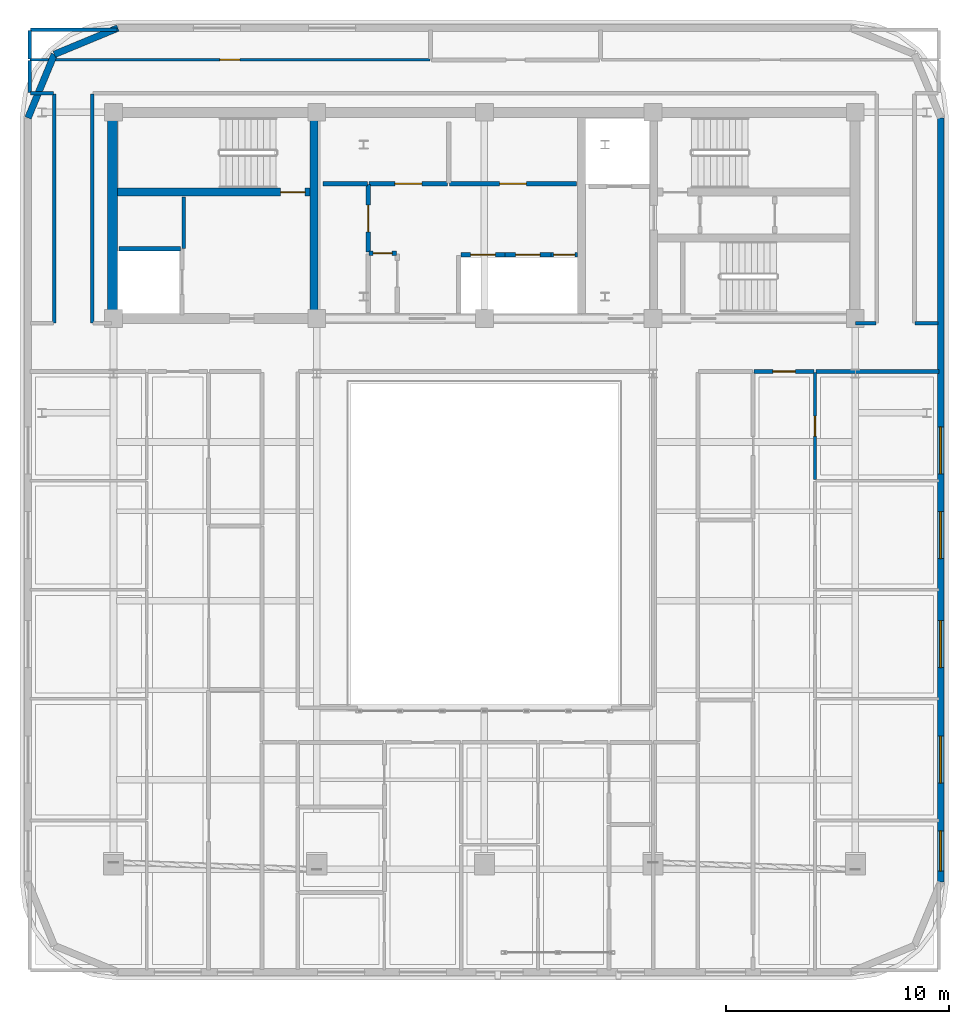
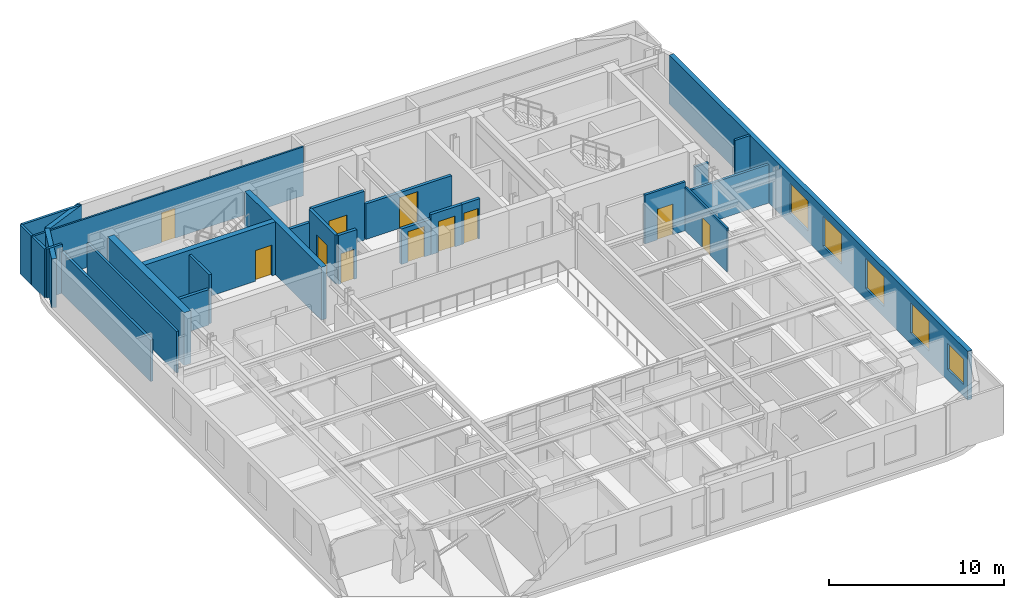
# One storey, part 10 of 14: 28 walls, 11 doors, 5 windows, 16 openings.
"""IFC4 building model written with IfcOpenShell, lengths in metres."""

from ifc_helpers import new_model, si_unit, direction, frame, frame_2d, origin, place, context, subcontext, project, spatial, rectangle, extrude, material, layer, layer_set, type_object, element, fill, save


model = new_model("IFC4")

# Units and contexts
model_context = context("Model", 3, precision=1e-05, world=origin(), true_north=direction((0.0, 1.0)))
body_context = subcontext(model_context, "Body", "Model", "MODEL_VIEW")
ifc_project = project(units=[si_unit("LENGTHUNIT", "METRE"), si_unit("AREAUNIT", "SQUARE_METRE"), si_unit("VOLUMEUNIT", "CUBIC_METRE"), si_unit("PLANEANGLEUNIT", "RADIAN"), si_unit("MASSUNIT", "GRAM", prefix="KILO")], contexts=[model_context])

# Site, building, storey
site_placement = place(None, origin())
site = spatial("IfcSite", under=ifc_project, at=site_placement, CompositionType="ELEMENT")
building_placement = place(site_placement, origin())
building = spatial("IfcBuilding", under=site, at=building_placement, Name="Zarnavel Station Tower", CompositionType="ELEMENT")
storey_placement = place(building_placement, frame((0.0, 0.0, 251.0)))
storey = spatial("IfcBuildingStorey", under=building, at=storey_placement, Name="L68", CompositionType="ELEMENT", Elevation=251.0)

# Wall
ifc_material_1 = material(Name="Concrete C50/60", Category="concrete")
ifc_layer_1 = layer(ifc_material_1, 0.35009765625)
ifc_layer_set_1 = layer_set([ifc_layer_1], Name="CW_350")
wall_type_1 = type_object("IfcWallType", Name="CW_350", PredefinedType="SHEAR", material=ifc_layer_set_1)
wall_1_placement = place(storey_placement, frame((21.179931640625, 28.044921875, 0.0), z_axis=(0.0, 0.0, 1.0), x_axis=(0.0, 1.0, 0.0)))
element("IfcWall", 1, at=wall_1_placement, inside=storey, type_object=wall_type_1, Name="L68 Rear Core Shear Wall DIV-W", PredefinedType="SHEAR", context=body_context, shape_type="SweptSolid", body=[
    extrude(rectangle(XDim=8.780029296875, YDim=0.35009765625, at=frame_2d((4.39013671875, 0.0))), origin(), (0.0, 0.0, 1.0), 3.699951171875),
])

# Wall, opening, door
wall_2_placement = place(storey_placement, frame((21.0048828125, 33.47998046875, 0.0), z_axis=(0.0, 0.0, 1.0), x_axis=(-1.0, 0.0, 0.0)))
wall_2 = element("IfcWall", 2, at=wall_2_placement, inside=storey, type_object=wall_type_1, Name="L68 Rear Core Shear Wall DIV-H1", PredefinedType="SHEAR", context=body_context, shape_type="SweptSolid", body=[
    extrude(rectangle(XDim=8.6298828125, YDim=0.35009765625, at=frame_2d((4.31494140625, 0.0))), origin(), (0.0, 0.0, 1.0), 3.699951171875),
])
opening_1_placement = place(wall_2_placement, frame((0.219970703125, 0.0, 0.0)))
opening_1 = element("IfcOpeningElement", 3, at=opening_1_placement, cuts=wall_2, Name="Opening FD01", PredefinedType="OPENING", context=body_context, shape_type="SweptSolid", body=[
    extrude(rectangle(XDim=1.10009765625, YDim=2.14990234375, at=frame_2d((0.550048828125, 1.074951171875))), frame((0.0, 0.18505859375, 0.0), z_axis=(0.0, -1.0, 0.0), x_axis=(1.0, 0.0, 0.0)), (0.0, 0.0, 1.0), 0.3701171875),
])
ifc_material_2 = material(Name="Painted Galvanised Steel and Hardwood Leaf", Category="steel")
door_type_1 = type_object("IfcDoorType", Name="ID_STAIR_1100", OperationType="NOTDEFINED", PredefinedType="DOOR", material=ifc_material_2)
door_1_placement = place(opening_1_placement, origin())
door_1 = element("IfcDoor", 4, at=door_1_placement, inside=storey, type_object=door_type_1, Name="L68 Stair ST1 Lobby Fire Door", OperationType="SINGLE_SWING_LEFT", OverallHeight=2.14990234375, OverallWidth=1.10009765625, PredefinedType="DOOR", context=body_context, shape_type="SweptSolid", body=[
    extrude(rectangle(XDim=1.10009765625, YDim=2.14990234375, at=frame_2d((0.550048828125, 1.074951171875))), frame((0.0, 0.02490234375, 0.0), z_axis=(0.0, -1.0, 0.0), x_axis=(1.0, 0.0, 0.0)), (0.0, 0.0, 1.0), 0.050048828125),
])
fill(opening_1, door_1)

# Wall
ifc_material_3 = material(Name="Concrete C50/60", Category="concrete")
ifc_layer_2 = layer(ifc_material_3, 0.449951171875)
ifc_layer_set_2 = layer_set([ifc_layer_2], Name="CW_450")
wall_type_2 = type_object("IfcWallType", Name="CW_450", PredefinedType="SHEAR", material=ifc_layer_set_2)
wall_3_placement = place(storey_placement, frame((12.14990234375, 28.044921875, 0.0), z_axis=(0.0, 0.0, 1.0), x_axis=(0.0, 1.0, 0.0)))
element("IfcWall", 5, at=wall_3_placement, inside=storey, type_object=wall_type_2, Name="L68 Rear Core Shear Wall W", PredefinedType="SHEAR", context=body_context, shape_type="SweptSolid", body=[
    extrude(rectangle(XDim=8.780029296875, YDim=0.449951171875, at=frame_2d((4.39013671875, 0.0))), origin(), (0.0, 0.0, 1.0), 3.699951171875),
])

# Wall, openings, windows
ifc_material_4 = material(Name="Precast concrete C45/55 (Dark Basalt Finish)", Category="masonry")
ifc_layer_3 = layer(ifc_material_4, 0.300048828125)
ifc_layer_set_3 = layer_set([ifc_layer_3], Name="EW_BASALT_300")
wall_type_3 = type_object("IfcWallType", Name="EW_BASALT_300", PredefinedType="SOLIDWALL", material=ifc_layer_set_3)
wall_4_placement = place(storey_placement, frame((49.219970703125, 36.800048828125, 0.0), z_axis=(0.0, 0.0, 1.0), x_axis=(0.0, -1.0, 0.0)))
wall_4 = element("IfcWall", 6, at=wall_4_placement, inside=storey, type_object=wall_type_3, Name="L68 Exterior Basalt Masonry Frame Wall 03", PredefinedType="SOLIDWALL", context=body_context, shape_type="SweptSolid", body=[
    extrude(rectangle(XDim=34.199951171875, YDim=0.300048828125, at=frame_2d((17.10009765625, 0.0))), origin(), (0.0, 0.0, 1.0), 3.419921875),
])
opening_2_placement = place(wall_4_placement, frame((31.91162109375, 0.0, 0.800048828125)))
opening_2 = element("IfcOpeningElement", 7, at=opening_2_placement, cuts=wall_4, Name="Opening WN02", PredefinedType="OPENING", context=body_context, shape_type="SweptSolid", body=[
    extrude(rectangle(XDim=1.800048828125, YDim=1.800048828125, at=frame_2d((0.89990234375, 0.89990234375))), frame((0.0, 0.159912109375, 0.0), z_axis=(0.0, -1.0, 0.0), x_axis=(1.0, 0.0, 0.0)), (0.0, 0.0, 1.0), 0.320068359375),
])
opening_3_placement = place(wall_4_placement, frame((27.66845703125, 0.0, 0.75)))
opening_3 = element("IfcOpeningElement", 8, at=opening_3_placement, cuts=wall_4, Name="Opening WN05", PredefinedType="OPENING", context=body_context, shape_type="SweptSolid", body=[
    extrude(rectangle(XDim=2.10009765625, YDim=2.10009765625, at=frame_2d((1.050048828125, 1.050048828125))), frame((0.0, 0.159912109375, 0.0), z_axis=(0.0, -1.0, 0.0), x_axis=(1.0, 0.0, 0.0)), (0.0, 0.0, 1.0), 0.320068359375),
])
opening_4_placement = place(wall_4_placement, frame((22.50341796875, 0.0, 0.75)))
opening_4 = element("IfcOpeningElement", 9, at=opening_4_placement, cuts=wall_4, Name="Opening WN05", PredefinedType="OPENING", context=body_context, shape_type="SweptSolid", body=[
    extrude(rectangle(XDim=2.10009765625, YDim=2.10009765625, at=frame_2d((1.050048828125, 1.050048828125))), frame((0.0, 0.159912109375, 0.0), z_axis=(0.0, -1.0, 0.0), x_axis=(1.0, 0.0, 0.0)), (0.0, 0.0, 1.0), 0.320068359375),
])
opening_5_placement = place(wall_4_placement, frame((17.62255859375, 0.0, 0.75)))
opening_5 = element("IfcOpeningElement", 10, at=opening_5_placement, cuts=wall_4, Name="Opening WN05", PredefinedType="OPENING", context=body_context, shape_type="SweptSolid", body=[
    extrude(rectangle(XDim=2.10009765625, YDim=2.10009765625, at=frame_2d((1.050048828125, 1.050048828125))), frame((0.0, 0.159912109375, 0.0), z_axis=(0.0, -1.0, 0.0), x_axis=(1.0, 0.0, 0.0)), (0.0, 0.0, 1.0), 0.320068359375),
])
opening_6_placement = place(wall_4_placement, frame((13.83203125, 0.0, 0.75)))
opening_6 = element("IfcOpeningElement", 11, at=opening_6_placement, cuts=wall_4, Name="Opening WN05", PredefinedType="OPENING", context=body_context, shape_type="SweptSolid", body=[
    extrude(rectangle(XDim=2.10009765625, YDim=2.10009765625, at=frame_2d((1.050048828125, 1.050048828125))), frame((0.0, 0.159912109375, 0.0), z_axis=(0.0, -1.0, 0.0), x_axis=(1.0, 0.0, 0.0)), (0.0, 0.0, 1.0), 0.320068359375),
])
ifc_material_5 = material(Name="Thermally Broken Black Aluminium and Low-E Dark Glass", Category="aluminium")
window_type_1 = type_object("IfcWindowType", Name="WN_1800x1800", PartitioningType="DOUBLE_PANEL_VERTICAL", PredefinedType="WINDOW", material=ifc_material_5)
window_1_placement = place(opening_2_placement, origin())
window_1 = element("IfcWindow", 12, at=window_1_placement, inside=storey, type_object=window_type_1, Name="L68 Recessed Facade Window 01", OverallHeight=1.800048828125, OverallWidth=1.800048828125, PartitioningType="SINGLE_PANEL", PredefinedType="WINDOW", context=body_context, shape_type="SweptSolid", body=[
    extrude(rectangle(XDim=1.800048828125, YDim=1.800048828125, at=frame_2d((0.89990234375, 0.89990234375))), frame((0.0, 0.030029296875, 0.0), z_axis=(0.0, -1.0, 0.0), x_axis=(1.0, 0.0, 0.0)), (0.0, 0.0, 1.0), 0.06005859375),
])
fill(opening_2, window_1)
ifc_material_6 = material(Name="Thermally Broken Black Aluminium and Low-E Dark Glass", Category="aluminium")
window_type_2 = type_object("IfcWindowType", Name="WN_2100x2100", PartitioningType="TRIPLE_PANEL_VERTICAL", PredefinedType="WINDOW", material=ifc_material_6)
window_2_placement = place(opening_3_placement, origin())
window_2 = element("IfcWindow", 13, at=window_2_placement, inside=storey, type_object=window_type_2, Name="L68 Recessed Facade Window 02", OverallHeight=2.10009765625, OverallWidth=2.10009765625, PartitioningType="SINGLE_PANEL", PredefinedType="WINDOW", context=body_context, shape_type="SweptSolid", body=[
    extrude(rectangle(XDim=2.10009765625, YDim=2.10009765625, at=frame_2d((1.050048828125, 1.050048828125))), frame((0.0, 0.030029296875, 0.0), z_axis=(0.0, -1.0, 0.0), x_axis=(1.0, 0.0, 0.0)), (0.0, 0.0, 1.0), 0.06005859375),
])
fill(opening_3, window_2)
window_3_placement = place(opening_4_placement, origin())
window_3 = element("IfcWindow", 14, at=window_3_placement, inside=storey, type_object=window_type_2, Name="L68 Recessed Facade Window 03", OverallHeight=2.10009765625, OverallWidth=2.10009765625, PartitioningType="SINGLE_PANEL", PredefinedType="WINDOW", context=body_context, shape_type="SweptSolid", body=[
    extrude(rectangle(XDim=2.10009765625, YDim=2.10009765625, at=frame_2d((1.050048828125, 1.050048828125))), frame((0.0, 0.030029296875, 0.0), z_axis=(0.0, -1.0, 0.0), x_axis=(1.0, 0.0, 0.0)), (0.0, 0.0, 1.0), 0.06005859375),
])
fill(opening_4, window_3)
window_4_placement = place(opening_5_placement, origin())
window_4 = element("IfcWindow", 15, at=window_4_placement, inside=storey, type_object=window_type_2, Name="L68 Recessed Facade Window 04", OverallHeight=2.10009765625, OverallWidth=2.10009765625, PartitioningType="SINGLE_PANEL", PredefinedType="WINDOW", context=body_context, shape_type="SweptSolid", body=[
    extrude(rectangle(XDim=2.10009765625, YDim=2.10009765625, at=frame_2d((1.050048828125, 1.050048828125))), frame((0.0, 0.030029296875, 0.0), z_axis=(0.0, -1.0, 0.0), x_axis=(1.0, 0.0, 0.0)), (0.0, 0.0, 1.0), 0.06005859375),
])
fill(opening_5, window_4)
window_5_placement = place(opening_6_placement, origin())
window_5 = element("IfcWindow", 16, at=window_5_placement, inside=storey, type_object=window_type_2, Name="L68 Recessed Facade Window 05", OverallHeight=2.10009765625, OverallWidth=2.10009765625, PartitioningType="SINGLE_PANEL", PredefinedType="WINDOW", context=body_context, shape_type="SweptSolid", body=[
    extrude(rectangle(XDim=2.10009765625, YDim=2.10009765625, at=frame_2d((1.050048828125, 1.050048828125))), frame((0.0, 0.030029296875, 0.0), z_axis=(0.0, -1.0, 0.0), x_axis=(1.0, 0.0, 0.0)), (0.0, 0.0, 1.0), 0.06005859375),
])
fill(opening_6, window_5)

# Walls
for number, where, z_axis, x_axis, name in (
    (17, (9.557373046875, 39.642578125, 0.0), (0.0, 0.0, 1.0), (0.923870793506, 0.382704529509, 0.0), "L68 Exterior Basalt Masonry Frame Wall 07"),
    (18, (8.3798828125, 36.800048828125, 0.0), (0.0, 0.0, 1.0), (0.382704529509, 0.923870793506, 0.0), "L68 Exterior Basalt Masonry Frame Wall 08"),
):
    element("IfcWall", number, at=place(storey_placement, frame(where, z_axis=z_axis, x_axis=x_axis)), inside=storey, type_object=wall_type_3, Name=name, PredefinedType="SOLIDWALL", context=body_context, shape_type="SweptSolid", body=[
        extrude(rectangle(XDim=3.07666015625, YDim=0.300048828125, at=frame_2d((1.538330078125, 0.0))), origin(), (0.0, 0.0, 1.0), 3.419921875),
    ])

# Wall, opening, door
ifc_material_7 = material(Name="Gypsum Twin-Stud Acoustic Fire Partition", Category="concrete")
ifc_layer_4 = layer(ifc_material_7, 0.159912109375)
ifc_layer_set_4 = layer_set([ifc_layer_4], Name="PT_DEMISE_160")
wall_type_4 = type_object("IfcWallType", Name="PT_DEMISE_160", PredefinedType="PARTITIONING", material=ifc_layer_set_4)
wall_5_placement = place(storey_placement, frame((40.8720703125, 25.449951171875, 0.0), z_axis=(0.0, 0.0, 1.0), x_axis=(1.0, 0.0, 0.0)))
wall_5 = element("IfcWall", 19, at=wall_5_placement, inside=storey, type_object=wall_type_4, Name="L68 Partition COR-S-UE1LV", PredefinedType="PARTITIONING", context=body_context, shape_type="SweptSolid", body=[
    extrude(rectangle(XDim=2.681884765625, YDim=0.159912109375, at=frame_2d((1.3408203125, 0.0))), origin(), (0.0, 0.0, 1.0), 3.419921875),
])
opening_7_placement = place(wall_5_placement, frame((0.841064453125, 0.0, 0.0)))
opening_7 = element("IfcOpeningElement", 20, at=opening_7_placement, cuts=wall_5, Name="Opening FD02", PredefinedType="OPENING", context=body_context, shape_type="SweptSolid", body=[
    extrude(rectangle(XDim=1.0, YDim=2.14990234375, at=frame_2d((0.5, 1.074951171875))), frame((0.0, 0.08984375, 0.0), z_axis=(0.0, -1.0, 0.0), x_axis=(1.0, 0.0, 0.0)), (0.0, 0.0, 1.0), 0.179931640625),
])
ifc_material_8 = material(Name="Painted Galvanised Steel and Hardwood Leaf", Category="steel")
door_type_2 = type_object("IfcDoorType", Name="ID_ENTRY_1000", OperationType="NOTDEFINED", PredefinedType="DOOR", material=ifc_material_8)
door_2_placement = place(opening_7_placement, origin())
door_2 = element("IfcDoor", 21, at=door_2_placement, inside=storey, type_object=door_type_2, Name="L68 Door COR-S-UE1LV", OperationType="SINGLE_SWING_LEFT", OverallHeight=2.14990234375, OverallWidth=1.0, PredefinedType="DOOR", context=body_context, shape_type="SweptSolid", body=[
    extrude(rectangle(XDim=1.0, YDim=2.14990234375, at=frame_2d((0.5, 1.074951171875))), frame((0.0, 0.02490234375, 0.0), z_axis=(0.0, -1.0, 0.0), x_axis=(1.0, 0.0, 0.0)), (0.0, 0.0, 1.0), 0.050048828125),
])
fill(opening_7, door_2)

# Walls
wall_6_placement = place(storey_placement, frame((43.634033203125, 25.449951171875, 0.0), z_axis=(0.0, 0.0, 1.0), x_axis=(1.0, 0.0, 0.0)))
element("IfcWall", 22, at=wall_6_placement, inside=storey, type_object=wall_type_4, Name="L68 Partition COR-S-UE1B5", PredefinedType="PARTITIONING", context=body_context, shape_type="SweptSolid", body=[
    extrude(rectangle(XDim=5.505859375, YDim=0.159912109375, at=frame_2d((2.7529296875, 0.0))), origin(), (0.0, 0.0, 1.0), 2.699951171875),
])
wall_7_placement = place(storey_placement, frame((15.35009765625, 30.9599609375, 0.0), z_axis=(0.0, 0.0, 1.0), x_axis=(0.0, 1.0, 0.0)))
element("IfcWall", 23, at=wall_7_placement, inside=storey, type_object=wall_type_4, Name="L68 Enclosure Wall FFL1", PredefinedType="PARTITIONING", context=body_context, shape_type="SweptSolid", body=[
    extrude(rectangle(XDim=2.31005859375, YDim=0.159912109375, at=frame_2d((1.155029296875, 0.0))), origin(), (0.0, 0.0, 1.0), 3.419921875),
])
wall_8_placement = place(storey_placement, frame((45.409912109375, 27.60009765625, 0.0), z_axis=(0.0, 0.0, 1.0), x_axis=(1.0, 0.0, 0.0)))
element("IfcWall", 24, at=wall_8_placement, inside=storey, type_object=wall_type_4, Name="L68 Enclosure Wall COR-S", PredefinedType="PARTITIONING", context=body_context, shape_type="SweptSolid", body=[
    extrude(rectangle(XDim=0.91015625, YDim=0.159912109375, at=frame_2d((0.455078125, 0.0))), origin(), (0.0, 0.0, 1.0), 2.489990234375),
])
wall_9_placement = place(storey_placement, frame((48.080078125, 27.60009765625, 0.0), z_axis=(0.0, 0.0, 1.0), x_axis=(1.0, 0.0, 0.0)))
element("IfcWall", 25, at=wall_9_placement, inside=storey, type_object=wall_type_4, Name="L68 Enclosure Wall COR-S", PredefinedType="PARTITIONING", context=body_context, shape_type="SweptSolid", body=[
    extrude(rectangle(XDim=1.030029296875, YDim=0.159912109375, at=frame_2d((0.51513671875, 0.0))), origin(), (0.0, 0.0, 1.0), 3.419921875),
])
for number, where, z_axis, x_axis, name in (
    (26, (9.550048828125, 27.6298828125, 0.0), (0.0, 0.0, 1.0), (0.0, 1.0, 0.0), "L68 Enclosure Wall COR-W"),
    (27, (11.25, 27.6298828125, 0.0), (0.0, 0.0, 1.0), (0.0, 1.0, 0.0), "L68 Enclosure Wall COR-W"),
):
    element("IfcWall", number, at=place(storey_placement, frame(where, z_axis=z_axis, x_axis=x_axis)), inside=storey, type_object=wall_type_4, Name=name, PredefinedType="PARTITIONING", context=body_context, shape_type="SweptSolid", body=[
        extrude(rectangle(XDim=10.240234375, YDim=0.159912109375, at=frame_2d((5.1201171875, 0.0))), origin(), (0.0, 0.0, 1.0), 2.89990234375),
    ])
wall_10_placement = place(storey_placement, frame((8.489990234375, 37.89990234375, 0.0), z_axis=(0.0, 0.0, 1.0), x_axis=(1.0, 0.0, 0.0)))
element("IfcWall", 28, at=wall_10_placement, inside=storey, type_object=wall_type_4, Name="L68 Enclosure Wall COR-N", PredefinedType="PARTITIONING", context=body_context, shape_type="SweptSolid", body=[
    extrude(rectangle(XDim=1.030029296875, YDim=0.159912109375, at=frame_2d((0.51513671875, 0.0))), origin(), (0.0, 0.0, 1.0), 3.419921875),
])
wall_11_placement = place(storey_placement, frame((8.4599609375, 37.929931640625, 0.0), z_axis=(0.0, 0.0, 1.0), x_axis=(0.0, 1.0, 0.0)))
element("IfcWall", 29, at=wall_11_placement, inside=storey, type_object=wall_type_4, Name="L68 Enclosure Wall COR-N", PredefinedType="PARTITIONING", context=body_context, shape_type="SweptSolid", body=[
    extrude(rectangle(XDim=1.440185546875, YDim=0.159912109375, at=frame_2d((0.72021484375, 0.0))), origin(), (0.0, 0.0, 1.0), 3.419921875),
])
wall_12_placement = place(storey_placement, frame((8.489990234375, 40.739990234375, 0.0), z_axis=(0.0, 0.0, 1.0), x_axis=(1.0, 0.0, 0.0)))
element("IfcWall", 30, at=wall_12_placement, inside=storey, type_object=wall_type_4, Name="L68 Enclosure Wall NSTD", PredefinedType="PARTITIONING", context=body_context, shape_type="SweptSolid", body=[
    extrude(rectangle(XDim=3.880126953125, YDim=0.159912109375, at=frame_2d((1.93994140625, 0.0))), origin(), (0.0, 0.0, 1.0), 3.419921875),
])
wall_13_placement = place(storey_placement, frame((8.4599609375, 39.429931640625, 0.0), z_axis=(0.0, 0.0, 1.0), x_axis=(0.0, 1.0, 0.0)))
element("IfcWall", 31, at=wall_13_placement, inside=storey, type_object=wall_type_4, Name="L68 Enclosure Wall NSTD", PredefinedType="PARTITIONING", context=body_context, shape_type="SweptSolid", body=[
    extrude(rectangle(XDim=1.280029296875, YDim=0.159912109375, at=frame_2d((0.64013671875, 0.0))), origin(), (0.0, 0.0, 1.0), 3.419921875),
])

# Wall, opening, door
ifc_material_9 = material(Name="Gypsum Metal-Stud Interior Partition", Category="concrete")
ifc_layer_5 = layer(ifc_material_9, 0.1201171875)
ifc_layer_set_5 = layer_set([ifc_layer_5], Name="PT_ROOM_120")
wall_type_5 = type_object("IfcWallType", Name="PT_ROOM_120", PredefinedType="PARTITIONING", material=ifc_layer_set_5)
wall_14_placement = place(storey_placement, frame((8.4599609375, 39.39990234375, 0.0), z_axis=(0.0, 0.0, 1.0), x_axis=(1.0, 0.0, 0.0)))
wall_14 = element("IfcWall", 32, at=wall_14_placement, inside=storey, type_object=wall_type_5, Name="L68 Partition COR-N-NSTD", PredefinedType="PARTITIONING", context=body_context, shape_type="SweptSolid", body=[
    extrude(rectangle(XDim=17.900146484375, YDim=0.1201171875, at=frame_2d((8.9501953125, 0.0))), origin(), (0.0, 0.0, 1.0), 3.419921875),
])
opening_8_placement = place(wall_14_placement, frame((8.5, 0.0, 0.0)))
opening_8 = element("IfcOpeningElement", 33, at=opening_8_placement, cuts=wall_14, Name="Opening ID01", PredefinedType="OPENING", context=body_context, shape_type="SweptSolid", body=[
    extrude(rectangle(XDim=0.89990234375, YDim=2.10009765625, at=frame_2d((0.449951171875, 1.050048828125))), frame((0.0, 0.070068359375, 0.0), z_axis=(0.0, -1.0, 0.0), x_axis=(1.0, 0.0, 0.0)), (0.0, 0.0, 1.0), 0.14013671875),
])
ifc_material_10 = material(Name="Painted Galvanised Steel and Hardwood Leaf", Category="steel")
door_type_3 = type_object("IfcDoorType", Name="ID_ROOM_900", OperationType="NOTDEFINED", PredefinedType="DOOR", material=ifc_material_10)
door_3_placement = place(opening_8_placement, origin())
door_3 = element("IfcDoor", 34, at=door_3_placement, inside=storey, type_object=door_type_3, Name="L68 Door COR-N-NSTD", OperationType="SINGLE_SWING_RIGHT", OverallHeight=2.10009765625, OverallWidth=0.89990234375, PredefinedType="DOOR", context=body_context, shape_type="SweptSolid", body=[
    extrude(rectangle(XDim=0.89990234375, YDim=2.10009765625, at=frame_2d((0.449951171875, 1.050048828125))), frame((0.0, 0.02490234375, 0.0), z_axis=(0.0, -1.0, 0.0), x_axis=(1.0, 0.0, 0.0)), (0.0, 0.0, 1.0), 0.050048828125),
])
fill(opening_8, door_3)

wall_15_placement = place(storey_placement, frame((43.593994140625, 20.60791015625, 0.0), z_axis=(0.0, 0.0, 1.0), x_axis=(0.0, 1.0, 0.0)))
wall_15 = element("IfcWall", 35, at=wall_15_placement, inside=storey, type_object=wall_type_5, Name="L68 Partition UE1LV-UE1B5", PredefinedType="PARTITIONING", context=body_context, shape_type="SweptSolid", body=[
    extrude(rectangle(XDim=4.802001953125, YDim=0.1201171875, at=frame_2d((2.40087890625, 0.0))), origin(), (0.0, 0.0, 1.0), 3.050048828125),
])
opening_9_placement = place(wall_15_placement, frame((1.950927734375, 0.0, 0.0)))
opening_9 = element("IfcOpeningElement", 36, at=opening_9_placement, cuts=wall_15, Name="Opening ID01", PredefinedType="OPENING", context=body_context, shape_type="SweptSolid", body=[
    extrude(rectangle(XDim=0.89990234375, YDim=2.10009765625, at=frame_2d((0.449951171875, 1.050048828125))), frame((0.0, 0.070068359375, 0.0), z_axis=(0.0, -1.0, 0.0), x_axis=(1.0, 0.0, 0.0)), (0.0, 0.0, 1.0), 0.14013671875),
])
door_4_placement = place(opening_9_placement, origin())
door_4 = element("IfcDoor", 37, at=door_4_placement, inside=storey, type_object=door_type_3, Name="L68 Door UE1LV-UE1B5", OperationType="SINGLE_SWING_LEFT", OverallHeight=2.10009765625, OverallWidth=0.89990234375, PredefinedType="DOOR", context=body_context, shape_type="SweptSolid", body=[
    extrude(rectangle(XDim=0.89990234375, YDim=2.10009765625, at=frame_2d((0.449951171875, 1.050048828125))), frame((0.0, 0.02490234375, 0.0), z_axis=(0.0, -1.0, 0.0), x_axis=(1.0, 0.0, 0.0)), (0.0, 0.0, 1.0), 0.050048828125),
])
fill(opening_9, door_4)

# Wall
ifc_material_11 = material(Name="Precast concrete C45/55 (Fire Shaft Blockwork)", Category="masonry")
ifc_layer_6 = layer(ifc_material_11, 0.199951171875)
ifc_layer_set_6 = layer_set([ifc_layer_6], Name="PT_SHAFT_200")
wall_type_6 = type_object("IfcWallType", Name="PT_SHAFT_200", PredefinedType="PARTITIONING", material=ifc_layer_set_6)
wall_16_placement = place(storey_placement, frame((12.449951171875, 30.949951171875, 0.0), z_axis=(0.0, 0.0, 1.0), x_axis=(1.0, 0.0, 0.0)))
element("IfcWall", 38, at=wall_16_placement, inside=storey, type_object=wall_type_6, Name="L68 Lift FFL-01 North Shaft Wall", PredefinedType="PARTITIONING", context=body_context, shape_type="SweptSolid", body=[
    extrude(rectangle(XDim=2.75, YDim=0.199951171875, at=frame_2d((1.375, 0.0))), origin(), (0.0, 0.0, 1.0), 2.489990234375),
])

# Wall, opening, door
wall_17_placement = place(storey_placement, frame((27.75, 30.669921875, 0.0), z_axis=(0.0, 0.0, 1.0), x_axis=(1.0, 0.0, 0.0)))
wall_17 = element("IfcWall", 39, at=wall_17_placement, inside=storey, type_object=wall_type_6, Name="L68 Lift PL-H1 Shaft Front Wall", PredefinedType="PARTITIONING", context=body_context, shape_type="SweptSolid", body=[
    extrude(rectangle(XDim=1.97509765625, YDim=0.199951171875, at=frame_2d((0.987548828125, 0.0))), origin(), (0.0, 0.0, 1.0), 2.489990234375),
])
opening_10_placement = place(wall_17_placement, frame((0.4375, 0.0, 0.0)))
opening_10 = element("IfcOpeningElement", 40, at=opening_10_placement, cuts=wall_17, Name="Opening LD02", PredefinedType="OPENING", context=body_context, shape_type="SweptSolid", body=[
    extrude(rectangle(XDim=1.10009765625, YDim=2.14990234375, at=frame_2d((0.550048828125, 1.074951171875))), frame((0.0, 0.10986328125, 0.0), z_axis=(0.0, -1.0, 0.0), x_axis=(1.0, 0.0, 0.0)), (0.0, 0.0, 1.0), 0.219970703125),
])
ifc_material_12 = material(Name="Painted Galvanised Steel and Hardwood Leaf", Category="steel")
door_type_4 = type_object("IfcDoorType", Name="LD_PAX_1100", OperationType="DOUBLE_DOOR_SLIDING", PredefinedType="DOOR", material=ifc_material_12)
door_5_placement = place(opening_10_placement, origin())
door_5 = element("IfcDoor", 41, at=door_5_placement, inside=storey, type_object=door_type_4, Name="L68 Lift PL-H1 Sliding Landing Door", OperationType="DOUBLE_DOOR_SLIDING", OverallHeight=2.14990234375, OverallWidth=1.10009765625, PredefinedType="DOOR", context=body_context, shape_type="SweptSolid", body=[
    extrude(rectangle(XDim=1.10009765625, YDim=2.14990234375, at=frame_2d((0.550048828125, 1.074951171875))), frame((0.0, 0.02490234375, 0.0), z_axis=(0.0, -1.0, 0.0), x_axis=(1.0, 0.0, 0.0)), (0.0, 0.0, 1.0), 0.050048828125),
])
fill(opening_10, door_5)

wall_18_placement = place(storey_placement, frame((29.72509765625, 30.669921875, 0.0), z_axis=(0.0, 0.0, 1.0), x_axis=(1.0, 0.0, 0.0)))
wall_18 = element("IfcWall", 42, at=wall_18_placement, inside=storey, type_object=wall_type_6, Name="L68 Lift PL-H2 Shaft Front Wall", PredefinedType="PARTITIONING", context=body_context, shape_type="SweptSolid", body=[
    extrude(rectangle(XDim=2.0498046875, YDim=0.199951171875, at=frame_2d((1.02490234375, 0.0))), origin(), (0.0, 0.0, 1.0), 2.800048828125),
])
opening_11_placement = place(wall_18_placement, frame((0.47509765625, 0.0, 0.0)))
opening_11 = element("IfcOpeningElement", 43, at=opening_11_placement, cuts=wall_18, Name="Opening LD02", PredefinedType="OPENING", context=body_context, shape_type="SweptSolid", body=[
    extrude(rectangle(XDim=1.10009765625, YDim=2.14990234375, at=frame_2d((0.550048828125, 1.074951171875))), frame((0.0, 0.10986328125, 0.0), z_axis=(0.0, -1.0, 0.0), x_axis=(1.0, 0.0, 0.0)), (0.0, 0.0, 1.0), 0.219970703125),
])
door_6_placement = place(opening_11_placement, origin())
door_6 = element("IfcDoor", 44, at=door_6_placement, inside=storey, type_object=door_type_4, Name="L68 Lift PL-H2 Sliding Landing Door", OperationType="DOUBLE_DOOR_SLIDING", OverallHeight=2.14990234375, OverallWidth=1.10009765625, PredefinedType="DOOR", context=body_context, shape_type="SweptSolid", body=[
    extrude(rectangle(XDim=1.10009765625, YDim=2.14990234375, at=frame_2d((0.550048828125, 1.074951171875))), frame((0.0, 0.02490234375, 0.0), z_axis=(0.0, -1.0, 0.0), x_axis=(1.0, 0.0, 0.0)), (0.0, 0.0, 1.0), 0.050048828125),
])
fill(opening_11, door_6)

wall_19_placement = place(storey_placement, frame((31.77490234375, 30.669921875, 0.0), z_axis=(0.0, 0.0, 1.0), x_axis=(1.0, 0.0, 0.0)))
wall_19 = element("IfcWall", 45, at=wall_19_placement, inside=storey, type_object=wall_type_6, Name="L68 Lift PL-H3 Shaft Front Wall", PredefinedType="PARTITIONING", context=body_context, shape_type="SweptSolid", body=[
    extrude(rectangle(XDim=1.2001953125, YDim=0.199951171875, at=frame_2d((0.60009765625, 0.0))), origin(), (0.0, 0.0, 1.0), 2.800048828125),
])
opening_12_placement = place(wall_19_placement, frame((0.125, 0.0, 0.0)))
opening_12 = element("IfcOpeningElement", 46, at=opening_12_placement, cuts=wall_19, Name="Opening LD03", PredefinedType="OPENING", context=body_context, shape_type="SweptSolid", body=[
    extrude(rectangle(XDim=0.949951171875, YDim=2.14990234375, at=frame_2d((0.47509765625, 1.074951171875))), frame((0.0, 0.10986328125, 0.0), z_axis=(0.0, -1.0, 0.0), x_axis=(1.0, 0.0, 0.0)), (0.0, 0.0, 1.0), 0.219970703125),
])
ifc_material_13 = material(Name="Painted Galvanised Steel and Hardwood Leaf", Category="steel")
door_type_5 = type_object("IfcDoorType", Name="LD_PAX_0950", OperationType="DOUBLE_DOOR_SLIDING", PredefinedType="DOOR", material=ifc_material_13)
door_7_placement = place(opening_12_placement, origin())
door_7 = element("IfcDoor", 47, at=door_7_placement, inside=storey, type_object=door_type_5, Name="L68 Lift PL-H3 Sliding Landing Door", OperationType="DOUBLE_DOOR_SLIDING", OverallHeight=2.14990234375, OverallWidth=0.949951171875, PredefinedType="DOOR", context=body_context, shape_type="SweptSolid", body=[
    extrude(rectangle(XDim=0.949951171875, YDim=2.14990234375, at=frame_2d((0.47509765625, 1.074951171875))), frame((0.0, 0.02490234375, 0.0), z_axis=(0.0, -1.0, 0.0), x_axis=(1.0, 0.0, 0.0)), (0.0, 0.0, 1.0), 0.050048828125),
])
fill(opening_12, door_7)

wall_20_placement = place(storey_placement, frame((23.60009765625, 30.7900390625, 0.0), z_axis=(0.0, 0.0, 1.0), x_axis=(0.0, 1.0, 0.0)))
wall_20 = element("IfcWall", 48, at=wall_20_placement, inside=storey, type_object=wall_type_6, Name="L68 Partition LLOB-CS1", PredefinedType="PARTITIONING", context=body_context, shape_type="SweptSolid", body=[
    extrude(rectangle(XDim=3.02001953125, YDim=0.199951171875, at=frame_2d((1.510009765625, 0.0))), origin(), (0.0, 0.0, 1.0), 3.419921875),
])
opening_13_placement = place(wall_20_placement, frame((0.909912109375, 0.0, 0.0)))
opening_13 = element("IfcOpeningElement", 49, at=opening_13_placement, cuts=wall_20, Name="Opening FD03", PredefinedType="OPENING", context=body_context, shape_type="SweptSolid", body=[
    extrude(rectangle(XDim=1.199951171875, YDim=2.14990234375, at=frame_2d((0.60009765625, 1.074951171875))), frame((0.0, 0.10986328125, 0.0), z_axis=(0.0, -1.0, 0.0), x_axis=(1.0, 0.0, 0.0)), (0.0, 0.0, 1.0), 0.219970703125),
])
ifc_material_14 = material(Name="Painted Galvanised Steel and Hardwood Leaf", Category="steel")
door_type_6 = type_object("IfcDoorType", Name="ID_PLANT_1200", OperationType="NOTDEFINED", PredefinedType="DOOR", material=ifc_material_14)
door_8_placement = place(opening_13_placement, origin())
door_8 = element("IfcDoor", 50, at=door_8_placement, inside=storey, type_object=door_type_6, Name="L68 Door LLOB-CS1", OperationType="SINGLE_SWING_LEFT", OverallHeight=2.14990234375, OverallWidth=1.199951171875, PredefinedType="DOOR", context=body_context, shape_type="SweptSolid", body=[
    extrude(rectangle(XDim=1.199951171875, YDim=2.14990234375, at=frame_2d((0.60009765625, 1.074951171875))), frame((0.0, 0.02490234375, 0.0), z_axis=(0.0, -1.0, 0.0), x_axis=(1.0, 0.0, 0.0)), (0.0, 0.0, 1.0), 0.050048828125),
])
fill(opening_13, door_8)

wall_21_placement = place(storey_placement, frame((23.639892578125, 30.75, 0.0), z_axis=(0.0, 0.0, 1.0), x_axis=(1.0, 0.0, 0.0)))
wall_21 = element("IfcWall", 51, at=wall_21_placement, inside=storey, type_object=wall_type_6, Name="L68 Partition LLOB-CS2", PredefinedType="PARTITIONING", context=body_context, shape_type="SweptSolid", body=[
    extrude(rectangle(XDim=1.22021484375, YDim=0.199951171875, at=frame_2d((0.610107421875, 0.0))), origin(), (0.0, 0.0, 1.0), 3.419921875),
])
opening_14_placement = place(wall_21_placement, frame((0.18505859375, 0.0, 0.0)))
opening_14 = element("IfcOpeningElement", 52, at=opening_14_placement, cuts=wall_21, Name="Opening ID02", PredefinedType="OPENING", context=body_context, shape_type="SweptSolid", body=[
    extrude(rectangle(XDim=0.85009765625, YDim=2.10009765625, at=frame_2d((0.425048828125, 1.050048828125))), frame((0.0, 0.10986328125, 0.0), z_axis=(0.0, -1.0, 0.0), x_axis=(1.0, 0.0, 0.0)), (0.0, 0.0, 1.0), 0.219970703125),
])
ifc_material_15 = material(Name="Painted Galvanised Steel and Hardwood Leaf", Category="steel")
door_type_7 = type_object("IfcDoorType", Name="ID_BATH_850", OperationType="NOTDEFINED", PredefinedType="DOOR", material=ifc_material_15)
door_9_placement = place(opening_14_placement, origin())
door_9 = element("IfcDoor", 53, at=door_9_placement, inside=storey, type_object=door_type_7, Name="L68 Door LLOB-CS2", OperationType="SINGLE_SWING_RIGHT", OverallHeight=2.10009765625, OverallWidth=0.85009765625, PredefinedType="DOOR", context=body_context, shape_type="SweptSolid", body=[
    extrude(rectangle(XDim=0.85009765625, YDim=2.10009765625, at=frame_2d((0.425048828125, 1.050048828125))), frame((0.0, 0.02490234375, 0.0), z_axis=(0.0, -1.0, 0.0), x_axis=(1.0, 0.0, 0.0)), (0.0, 0.0, 1.0), 0.050048828125),
])
fill(opening_14, door_9)

wall_22_placement = place(storey_placement, frame((23.639892578125, 33.85009765625, 0.0), z_axis=(0.0, 0.0, 1.0), x_axis=(1.0, 0.0, 0.0)))
wall_22 = element("IfcWall", 54, at=wall_22_placement, inside=storey, type_object=wall_type_6, Name="L68 Partition LLOB-FB2A", PredefinedType="PARTITIONING", context=body_context, shape_type="SweptSolid", body=[
    extrude(rectangle(XDim=3.52001953125, YDim=0.199951171875, at=frame_2d((1.760009765625, 0.0))), origin(), (0.0, 0.0, 1.0), 3.419921875),
])
opening_15_placement = place(wall_22_placement, frame((1.159912109375, 0.0, 0.0)))
opening_15 = element("IfcOpeningElement", 55, at=opening_15_placement, cuts=wall_22, Name="Opening FD03", PredefinedType="OPENING", context=body_context, shape_type="SweptSolid", body=[
    extrude(rectangle(XDim=1.199951171875, YDim=2.14990234375, at=frame_2d((0.60009765625, 1.074951171875))), frame((0.0, 0.10986328125, 0.0), z_axis=(0.0, -1.0, 0.0), x_axis=(1.0, 0.0, 0.0)), (0.0, 0.0, 1.0), 0.219970703125),
])
door_10_placement = place(opening_15_placement, origin())
door_10 = element("IfcDoor", 56, at=door_10_placement, inside=storey, type_object=door_type_6, Name="L68 Door LLOB-FB2A", OperationType="SINGLE_SWING_LEFT", OverallHeight=2.14990234375, OverallWidth=1.199951171875, PredefinedType="DOOR", context=body_context, shape_type="SweptSolid", body=[
    extrude(rectangle(XDim=1.199951171875, YDim=2.14990234375, at=frame_2d((0.60009765625, 1.074951171875))), frame((0.0, 0.02490234375, 0.0), z_axis=(0.0, -1.0, 0.0), x_axis=(1.0, 0.0, 0.0)), (0.0, 0.0, 1.0), 0.050048828125),
])
fill(opening_15, door_10)

wall_23_placement = place(storey_placement, frame((27.239990234375, 33.85009765625, 0.0), z_axis=(0.0, 0.0, 1.0), x_axis=(1.0, 0.0, 0.0)))
wall_23 = element("IfcWall", 57, at=wall_23_placement, inside=storey, type_object=wall_type_6, Name="L68 Partition LLOB-FB2B", PredefinedType="PARTITIONING", context=body_context, shape_type="SweptSolid", body=[
    extrude(rectangle(XDim=5.68994140625, YDim=0.199951171875, at=frame_2d((2.844970703125, 0.0))), origin(), (0.0, 0.0, 1.0), 2.489990234375),
])
opening_16_placement = place(wall_23_placement, frame((2.2451171875, 0.0, 0.0)))
opening_16 = element("IfcOpeningElement", 58, at=opening_16_placement, cuts=wall_23, Name="Opening FD03", PredefinedType="OPENING", context=body_context, shape_type="SweptSolid", body=[
    extrude(rectangle(XDim=1.199951171875, YDim=2.14990234375, at=frame_2d((0.60009765625, 1.074951171875))), frame((0.0, 0.10986328125, 0.0), z_axis=(0.0, -1.0, 0.0), x_axis=(1.0, 0.0, 0.0)), (0.0, 0.0, 1.0), 0.219970703125),
])
door_11_placement = place(opening_16_placement, origin())
door_11 = element("IfcDoor", 59, at=door_11_placement, inside=storey, type_object=door_type_6, Name="L68 Door LLOB-FB2B", OperationType="SINGLE_SWING_RIGHT", OverallHeight=2.14990234375, OverallWidth=1.199951171875, PredefinedType="DOOR", context=body_context, shape_type="SweptSolid", body=[
    extrude(rectangle(XDim=1.199951171875, YDim=2.14990234375, at=frame_2d((0.60009765625, 1.074951171875))), frame((0.0, 0.02490234375, 0.0), z_axis=(0.0, -1.0, 0.0), x_axis=(1.0, 0.0, 0.0)), (0.0, 0.0, 1.0), 0.050048828125),
])
fill(opening_16, door_11)

# Wall
wall_24_placement = place(storey_placement, frame((21.590087890625, 33.85009765625, 0.0), z_axis=(0.0, 0.0, 1.0), x_axis=(1.0, 0.0, 0.0)))
element("IfcWall", 60, at=wall_24_placement, inside=storey, type_object=wall_type_6, Name="L68 Partition CS1-FB2A", PredefinedType="PARTITIONING", context=body_context, shape_type="SweptSolid", body=[
    extrude(rectangle(XDim=1.969970703125, YDim=0.199951171875, at=frame_2d((0.98486328125, 0.0))), origin(), (0.0, 0.0, 1.0), 2.489990234375),
])

save(model, "model.ifc")
